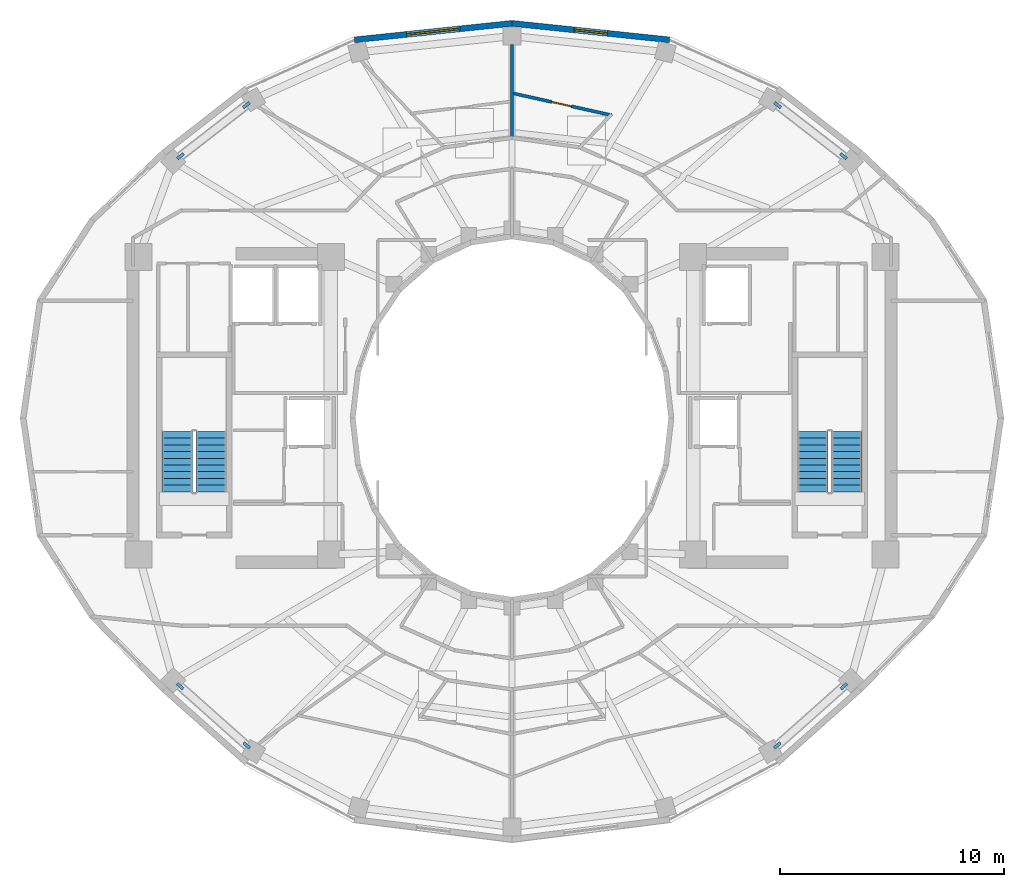
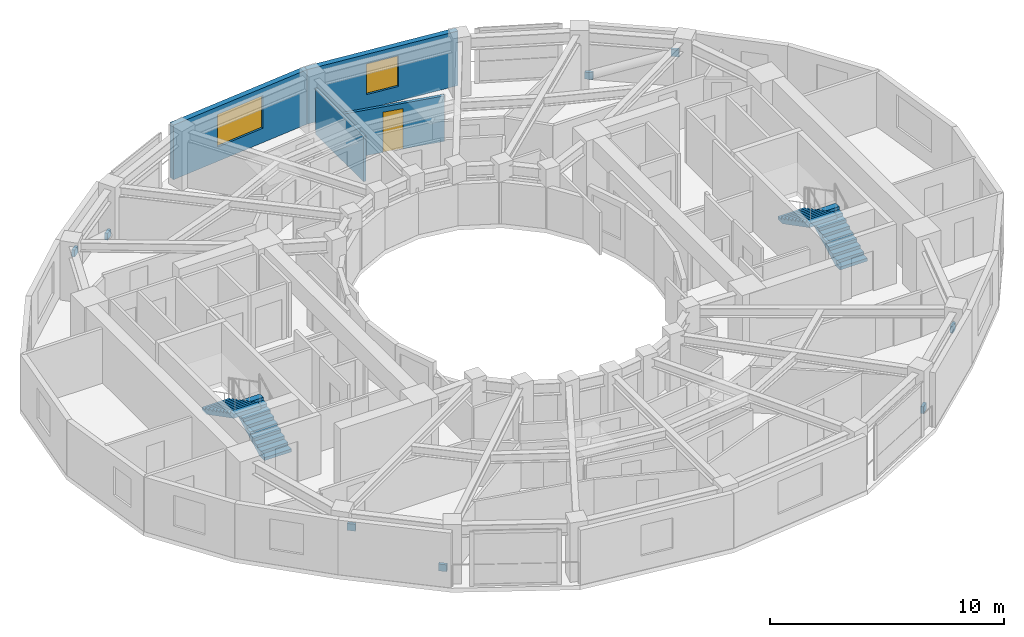
# One storey, part 14 of 16: 8 discrete accessories, 4 stair flights, 4 walls, 2 windows, 1 door, 3 openings, 2 elements without a shape of their own.
"""IFC4 building model written with IfcOpenShell, lengths in metres."""

from ifc_helpers import new_model, si_unit, direction, frame, frame_2d, origin, origin_2d, place, context, subcontext, project, spatial, polyline, rectangle, outline, extrude, material, layer, layer_set, type_object, element, fill, aggregate, save


model = new_model("IFC4")

# Units and contexts
model_context = context("Model", 3, precision=1e-05, world=origin(), true_north=direction((0.0, 1.0)))
body_context = subcontext(model_context, "Body", "Model", "MODEL_VIEW")
ifc_project = project(units=[si_unit("LENGTHUNIT", "METRE"), si_unit("AREAUNIT", "SQUARE_METRE"), si_unit("VOLUMEUNIT", "CUBIC_METRE"), si_unit("PLANEANGLEUNIT", "RADIAN"), si_unit("MASSUNIT", "GRAM", prefix="KILO")], contexts=[model_context])

# Site, building, storey
site_placement = place(None, origin())
site = spatial("IfcSite", under=ifc_project, at=site_placement, CompositionType="ELEMENT")
building_placement = place(site_placement, origin())
building = spatial("IfcBuilding", under=site, at=building_placement, Name="Solvane Sanctuary Tower", CompositionType="ELEMENT")
storey_placement = place(building_placement, frame((0.0, 0.0, 226.39990234375)))
storey = spatial("IfcBuildingStorey", under=building, at=storey_placement, Name="L69", CompositionType="ELEMENT", Elevation=226.39990234375)

# Wall, opening, window
ifc_material_1 = material(Name="Precast concrete C40/50", Category="concrete")
ifc_layer_1 = layer(ifc_material_1, 0.260009765625, Name="Precast concrete C40/50")
ifc_layer_set_1 = layer_set([ifc_layer_1], Name="Precast concrete C40/50")
wall_type_1 = type_object("IfcWallType", Name="Wall W-EXT-250", PredefinedType="STANDARD", material=ifc_layer_set_1)
wall_1_placement = place(storey_placement, frame((39.04296875, 39.911865234375, 0.0), z_axis=(0.0, 0.0, 1.0), x_axis=(-0.994582822721, 0.103947144014, 0.0)))
wall_1 = element("IfcWall", 1, at=wall_1_placement, inside=storey, type_object=wall_type_1, Name="L69 Ceramic-Printed Facade Wall 05", PredefinedType="STANDARD", context=body_context, shape_type="SweptSolid", body=[
    extrude(rectangle(XDim=7.081298828125, YDim=0.260009765625, at=frame_2d((3.54052734375, 0.0))), origin(), (0.0, 0.0, 1.0), 2.85009765625),
])
opening_1_placement = place(wall_1_placement, frame((2.790771484375, 0.0, 0.75)))
opening_1 = element("IfcOpeningElement", 2, at=opening_1_placement, cuts=wall_1, Name="Opening WN-OPER-1500", PredefinedType="OPENING", context=body_context, shape_type="SweptSolid", body=[
    extrude(rectangle(XDim=1.5, YDim=1.60009765625, at=frame_2d((0.75, 0.800048828125))), frame((0.0, 0.139892578125, 0.0), z_axis=(0.0, -1.0, 0.0), x_axis=(1.0, 0.0, 0.0)), (0.0, 0.0, 1.0), 0.280029296875),
])
ifc_material_2 = material(Name="Dark Ceramic-Fritted Low-E Glass", Category="glass")
window_type_1 = type_object("IfcWindowType", Name="Window WN-OPER-1500", PartitioningType="SINGLE_PANEL", PredefinedType="WINDOW", material=ifc_material_2)
window_1_placement = place(opening_1_placement, origin())
window_1 = element("IfcWindow", 3, at=window_1_placement, inside=storey, type_object=window_type_1, Name="L69 Operable Facade Window 05", OverallHeight=1.60009765625, OverallWidth=1.5, PartitioningType="SINGLE_PANEL", PredefinedType="WINDOW", context=body_context, shape_type="SweptSolid", body=[
    extrude(rectangle(XDim=1.5, YDim=1.60009765625, at=frame_2d((0.75, 0.800048828125))), frame((0.0, 0.030029296875, 0.0), z_axis=(0.0, -1.0, 0.0), x_axis=(1.0, 0.0, 0.0)), (0.0, 0.0, 1.0), 0.06005859375),
])
fill(opening_1, window_1)

wall_2_placement = place(storey_placement, frame((32.0, 40.64794921875, 0.0), z_axis=(0.0, 0.0, 1.0), x_axis=(-0.994582822721, -0.103947144014, 0.0)))
wall_2 = element("IfcWall", 4, at=wall_2_placement, inside=storey, type_object=wall_type_1, Name="L69 Ceramic-Printed Facade Wall 06", PredefinedType="STANDARD", context=body_context, shape_type="SweptSolid", body=[
    extrude(rectangle(XDim=7.081298828125, YDim=0.260009765625, at=frame_2d((3.54052734375, 0.0))), origin(), (0.0, 0.0, 1.0), 2.85009765625),
])
opening_2_placement = place(wall_2_placement, frame((2.3408203125, 0.0, 0.75)))
opening_2 = element("IfcOpeningElement", 5, at=opening_2_placement, cuts=wall_2, Name="Opening WN-RIB-2400", PredefinedType="OPENING", context=body_context, shape_type="SweptSolid", body=[
    extrude(rectangle(XDim=2.39990234375, YDim=1.699951171875, at=frame_2d((1.199951171875, 0.85009765625))), frame((0.0, 0.139892578125, 0.0), z_axis=(0.0, -1.0, 0.0), x_axis=(1.0, 0.0, 0.0)), (0.0, 0.0, 1.0), 0.280029296875),
])
window_type_2 = type_object("IfcWindowType", Name="Window WN-RIB-2400", PartitioningType="SINGLE_PANEL", PredefinedType="WINDOW", material=ifc_material_2)
window_2_placement = place(opening_2_placement, origin())
window_2 = element("IfcWindow", 6, at=window_2_placement, inside=storey, type_object=window_type_2, Name="L69 Operable Facade Window 06", OverallHeight=1.699951171875, OverallWidth=2.39990234375, PartitioningType="SINGLE_PANEL", PredefinedType="WINDOW", context=body_context, shape_type="SweptSolid", body=[
    extrude(rectangle(XDim=2.39990234375, YDim=1.699951171875, at=frame_2d((1.199951171875, 0.85009765625))), frame((0.0, 0.030029296875, 0.0), z_axis=(0.0, -1.0, 0.0), x_axis=(1.0, 0.0, 0.0)), (0.0, 0.0, 1.0), 0.06005859375),
])
fill(opening_2, window_2)

# Wall
ifc_material_3 = material(Name="Acoustic Gypsum Partition Board")
ifc_layer_2 = layer(ifc_material_3, 0.125, Name="Acoustic Gypsum Partition Board")
ifc_layer_set_2 = layer_set([ifc_layer_2], Name="Acoustic Gypsum Partition Board")
wall_type_2 = type_object("IfcWallType", Name="Wall W-PART-125", PredefinedType="PARTITIONING", material=ifc_layer_set_2)
wall_3_placement = place(storey_placement, frame((32.0, 35.5849609375, 0.0), z_axis=(0.0, 0.0, 1.0), x_axis=(0.0, 1.0, 0.0)))
element("IfcWall", 7, at=wall_3_placement, inside=storey, type_object=wall_type_2, Name="L69 Radial Compartment Wall 090", PredefinedType="PARTITIONING", context=body_context, shape_type="SweptSolid", body=[
    extrude(rectangle(XDim=4.114990234375, YDim=0.125, at=frame_2d((2.0576171875, 0.0))), origin(), (0.0, 0.0, 1.0), 2.3759765625),
])

# Wall, opening, door
ifc_layer_3 = layer(ifc_material_3, 0.139892578125, Name="Acoustic Gypsum Partition Board")
ifc_layer_set_3 = layer_set([ifc_layer_3], Name="Acoustic Gypsum Partition Board")
wall_type_3 = type_object("IfcWallType", Name="Wall W-WET-140", PredefinedType="PLUMBINGWALL", material=ifc_layer_set_3)
wall_4_placement = place(storey_placement, frame((36.467041015625, 36.537841796875, 0.0), z_axis=(0.0, 0.0, 1.0), x_axis=(-0.976214372251, 0.21680751696, 0.0)))
wall_4 = element("IfcWall", 8, at=wall_4_placement, inside=storey, type_object=wall_type_3, Name="L69 En-suite Bedroom Wall N1", PredefinedType="PLUMBINGWALL", context=body_context, shape_type="SweptSolid", body=[
    extrude(rectangle(XDim=4.6259765625, YDim=0.139892578125, at=frame_2d((2.31298828125, 0.0))), origin(), (0.0, 0.0, 1.0), 2.3759765625),
])
opening_3_placement = place(wall_4_placement, frame((1.86279296875, 0.0, 0.0)))
opening_3 = element("IfcOpeningElement", 9, at=opening_3_placement, cuts=wall_4, Name="Opening D-L69-26", PredefinedType="OPENING", context=body_context, shape_type="SweptSolid", body=[
    extrude(rectangle(XDim=0.89990234375, YDim=2.10009765625, at=frame_2d((0.449951171875, 1.050048828125))), frame((0.0, 0.079833984375, 0.0), z_axis=(0.0, -1.0, 0.0), x_axis=(1.0, 0.0, 0.0)), (0.0, 0.0, 1.0), 0.159912109375),
])
ifc_material_4 = material(Name="Engineered Tropical Hardwood", Category="wood")
door_type = type_object("IfcDoorType", Name="Door D-WET-900", OperationType="NOTDEFINED", PredefinedType="DOOR", material=ifc_material_4)
door_placement = place(opening_3_placement, origin())
door = element("IfcDoor", 10, at=door_placement, inside=storey, type_object=door_type, Name="L69 En-suite Bathroom Door N1", OperationType="SINGLE_SWING_LEFT", OverallHeight=2.10009765625, OverallWidth=0.89990234375, PredefinedType="DOOR", context=body_context, shape_type="SweptSolid", body=[
    extrude(rectangle(XDim=0.89990234375, YDim=2.10009765625, at=frame_2d((0.449951171875, 1.050048828125))), frame((0.0, 0.02490234375, 0.0), z_axis=(0.0, -1.0, 0.0), x_axis=(1.0, 0.0, 0.0)), (0.0, 0.0, 1.0), 0.050048828125),
])
fill(opening_3, door)

# Stair, stair flights
ifc_material_5 = material(Name="Concrete C45/55", Category="concrete")
stair_type = type_object("IfcStairType", Name="Stair ST-TOW", PredefinedType="HALF_TURN_STAIR", material=ifc_material_5)
stair_1_placement = place(storey_placement, origin())
stair_1 = element("IfcStair", 11, at=stair_1_placement, inside=storey, type_object=stair_type, Name="L69 Exit Stair ST-1 West Core", PredefinedType="HALF_TURN_STAIR")
stair_flight_type = type_object("IfcStairFlightType", Name="StairFlight SF-TOW", PredefinedType="STRAIGHT", material=ifc_material_5)
stair_flight_1_placement = place(storey_placement, frame((18.544921875, 19.699951171875, 0.0), z_axis=(0.0, 0.0, 1.0), x_axis=(0.0, 1.0, 0.0)))
stair_flight_1 = element("IfcStairFlight", 12, at=stair_flight_1_placement, type_object=stair_flight_type, Name="ST-1 flight 1", NumberOfRisers=10, NumberOfTreads=9, PredefinedType="STRAIGHT", RiserHeight=0.155, TreadLength=0.3, context=body_context, shape_type="SweptSolid", body=[
    extrude(outline(polyline([(0.0, 0.0), (0.0, 0.155029296875), (0.300048828125, 0.155029296875), (0.300048828125, 0.31005859375), (0.60009765625, 0.31005859375), (0.60009765625, 0.465087890625), (0.89990234375, 0.465087890625), (0.89990234375, 0.6201171875), (1.199951171875, 0.6201171875), (1.199951171875, 0.77490234375), (1.5, 0.77490234375), (1.5, 0.929931640625), (1.800048828125, 0.929931640625), (1.800048828125, 1.0849609375), (2.10009765625, 1.0849609375), (2.10009765625, 1.239990234375), (2.39990234375, 1.239990234375), (2.39990234375, 1.39501953125), (2.699951171875, 1.39501953125), (2.699951171875, 1.550048828125), (2.699951171875, 1.1923828125), (0.39208984375, 0.0), (0.0, 0.0)])), frame((0.0, 0.675048828125, 0.0), z_axis=(0.0, -1.0, 0.0), x_axis=(1.0, 0.0, 0.0)), (0.0, 0.0, 1.0), 1.35009765625),
])
stair_flight_2_placement = place(storey_placement, frame((17.034912109375, 22.39990234375, 1.550048828125), z_axis=(0.0, 0.0, 1.0), x_axis=(0.0, -1.0, 0.0)))
stair_flight_2 = element("IfcStairFlight", 13, at=stair_flight_2_placement, type_object=stair_flight_type, Name="ST-1 flight 2", NumberOfRisers=10, NumberOfTreads=9, PredefinedType="STRAIGHT", RiserHeight=0.155, TreadLength=0.3, context=body_context, shape_type="SweptSolid", body=[
    extrude(outline(polyline([(0.0, 0.0), (0.0, 0.155029296875), (0.300048828125, 0.155029296875), (0.300048828125, 0.31005859375), (0.60009765625, 0.31005859375), (0.60009765625, 0.465087890625), (0.89990234375, 0.465087890625), (0.89990234375, 0.6201171875), (1.199951171875, 0.6201171875), (1.199951171875, 0.77490234375), (1.5, 0.77490234375), (1.5, 0.929931640625), (1.800048828125, 0.929931640625), (1.800048828125, 1.0849609375), (2.10009765625, 1.0849609375), (2.10009765625, 1.239990234375), (2.39990234375, 1.239990234375), (2.39990234375, 1.39501953125), (2.699951171875, 1.39501953125), (2.699951171875, 1.550048828125), (2.699951171875, 1.1923828125), (0.39208984375, 0.0), (0.0, 0.0)])), frame((0.0, 0.675048828125, 0.0), z_axis=(0.0, -1.0, 0.0), x_axis=(1.0, 0.0, 0.0)), (0.0, 0.0, 1.0), 1.35009765625),
])
aggregate(stair_1, [stair_flight_1, stair_flight_2])

stair_2_placement = place(storey_placement, origin())
stair_2 = element("IfcStair", 14, at=stair_2_placement, inside=storey, type_object=stair_type, Name="L69 Exit Stair ST-2 East Core", PredefinedType="HALF_TURN_STAIR")
stair_flight_3_placement = place(storey_placement, frame((46.965087890625, 19.699951171875, 0.0), z_axis=(0.0, 0.0, 1.0), x_axis=(0.0, 1.0, 0.0)))
stair_flight_3 = element("IfcStairFlight", 15, at=stair_flight_3_placement, type_object=stair_flight_type, Name="ST-2 flight 1", NumberOfRisers=10, NumberOfTreads=9, PredefinedType="STRAIGHT", RiserHeight=0.155, TreadLength=0.3, context=body_context, shape_type="SweptSolid", body=[
    extrude(outline(polyline([(0.0, 0.0), (0.0, 0.155029296875), (0.300048828125, 0.155029296875), (0.300048828125, 0.31005859375), (0.60009765625, 0.31005859375), (0.60009765625, 0.465087890625), (0.89990234375, 0.465087890625), (0.89990234375, 0.6201171875), (1.199951171875, 0.6201171875), (1.199951171875, 0.77490234375), (1.5, 0.77490234375), (1.5, 0.929931640625), (1.800048828125, 0.929931640625), (1.800048828125, 1.0849609375), (2.10009765625, 1.0849609375), (2.10009765625, 1.239990234375), (2.39990234375, 1.239990234375), (2.39990234375, 1.39501953125), (2.699951171875, 1.39501953125), (2.699951171875, 1.550048828125), (2.699951171875, 1.1923828125), (0.39208984375, 0.0), (0.0, 0.0)])), frame((0.0, 0.675048828125, 0.0), z_axis=(0.0, -1.0, 0.0), x_axis=(1.0, 0.0, 0.0)), (0.0, 0.0, 1.0), 1.35009765625),
])
stair_flight_4_placement = place(storey_placement, frame((45.455078125, 22.39990234375, 1.550048828125), z_axis=(0.0, 0.0, 1.0), x_axis=(0.0, -1.0, 0.0)))
stair_flight_4 = element("IfcStairFlight", 16, at=stair_flight_4_placement, type_object=stair_flight_type, Name="ST-2 flight 2", NumberOfRisers=10, NumberOfTreads=9, PredefinedType="STRAIGHT", RiserHeight=0.155, TreadLength=0.3, context=body_context, shape_type="SweptSolid", body=[
    extrude(outline(polyline([(0.0, 0.0), (0.0, 0.155029296875), (0.300048828125, 0.155029296875), (0.300048828125, 0.31005859375), (0.60009765625, 0.31005859375), (0.60009765625, 0.465087890625), (0.89990234375, 0.465087890625), (0.89990234375, 0.6201171875), (1.199951171875, 0.6201171875), (1.199951171875, 0.77490234375), (1.5, 0.77490234375), (1.5, 0.929931640625), (1.800048828125, 0.929931640625), (1.800048828125, 1.0849609375), (2.10009765625, 1.0849609375), (2.10009765625, 1.239990234375), (2.39990234375, 1.239990234375), (2.39990234375, 1.39501953125), (2.699951171875, 1.39501953125), (2.699951171875, 1.550048828125), (2.699951171875, 1.1923828125), (0.39208984375, 0.0), (0.0, 0.0)])), frame((0.0, 0.675048828125, 0.0), z_axis=(0.0, -1.0, 0.0), x_axis=(1.0, 0.0, 0.0)), (0.0, 0.0, 1.0), 1.35009765625),
])
aggregate(stair_2, [stair_flight_3, stair_flight_4])

# Discrete accessories
ifc_material_6 = material(Name="Steel ASTM A572 Grade 50", Category="steel")
ifc_layer_4 = layer(ifc_material_6, 0.360107421875, Name="Steel ASTM A572 Grade 50")
ifc_layer_set_4 = layer_set([ifc_layer_4], Name="Steel ASTM A572 Grade 50")
discrete_accessory_type = type_object("IfcDiscreteAccessoryType", Name="Accessory ACC-GUSSET-BRK", PredefinedType="BRACKET", material=ifc_layer_set_4)
for number, where, z_axis, x_axis, name in (
    (17, (43.8779296875, 36.991455078125, 0.3681640625), (0.0, 0.0, 1.0), (0.790689573744, -0.612217280034, 0.0), "L69 Perimeter Braced-Tube Diagonal NE End Gusset Bracket A"),
    (18, (46.822509765625, 34.71142578125, 1.90185546875), (0.0, 0.0, 1.0), (0.790689573744, -0.612217280034, 0.0), "L69 Perimeter Braced-Tube Diagonal NE End Gusset Bracket B"),
    (19, (20.1220703125, 36.991455078125, 0.3681640625), (0.0, 0.0, 1.0), (-0.790689573744, -0.612217280034, 0.0), "L69 Perimeter Braced-Tube Diagonal NW End Gusset Bracket A"),
    (20, (17.177490234375, 34.71142578125, 1.90185546875), (0.0, 0.0, 1.0), (-0.790689573744, -0.612217280034, 0.0), "L69 Perimeter Braced-Tube Diagonal NW End Gusset Bracket B"),
    (21, (20.13623046875, 8.360595703125, 0.36083984375), (0.0, 0.0, 1.0), (-0.747218420912, 0.664578536706, 0.0), "L69 Perimeter Braced-Tube Diagonal SW End Gusset Bracket A"),
    (22, (17.157958984375, 11.009765625, 1.912109375), (0.0, 0.0, 1.0), (-0.747218420912, 0.664578536706, 0.0), "L69 Perimeter Braced-Tube Diagonal SW End Gusset Bracket B"),
    (23, (43.86376953125, 8.360595703125, 0.36083984375), (0.0, 0.0, 1.0), (0.747218420912, 0.664578536706, 0.0), "L69 Perimeter Braced-Tube Diagonal SE End Gusset Bracket A"),
    (24, (46.842041015625, 11.009765625, 1.912109375), (0.0, 0.0, 1.0), (0.747218420912, 0.664578536706, 0.0), "L69 Perimeter Braced-Tube Diagonal SE End Gusset Bracket B"),
):
    element("IfcDiscreteAccessory", number, at=place(storey_placement, frame(where, z_axis=z_axis, x_axis=x_axis)), inside=storey, type_object=discrete_accessory_type, Name=name, PredefinedType="BRACKET", context=body_context, shape_type="SweptSolid", body=[
        extrude(rectangle(XDim=0.360107421875, YDim=0.139892578125, at=origin_2d()), origin(), (0.0, 0.0, 1.0), 0.360107421875),
    ])

save(model, "model.ifc")
